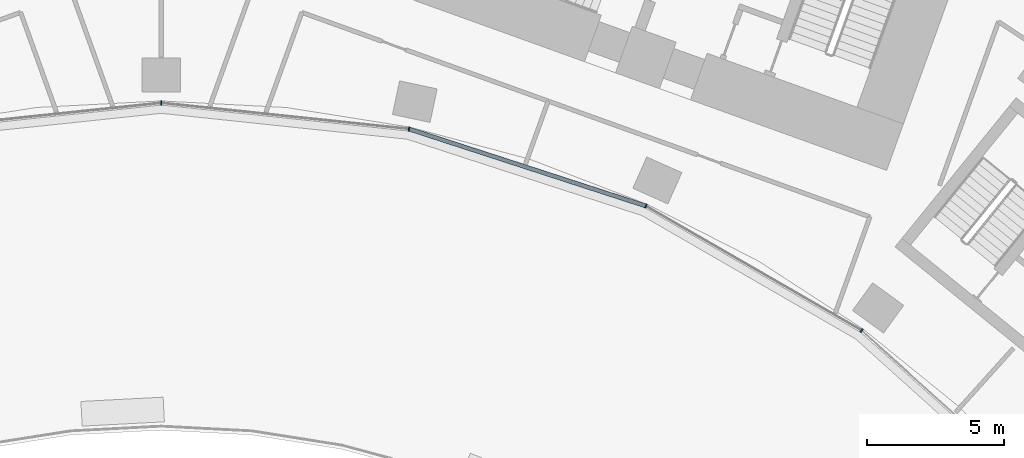
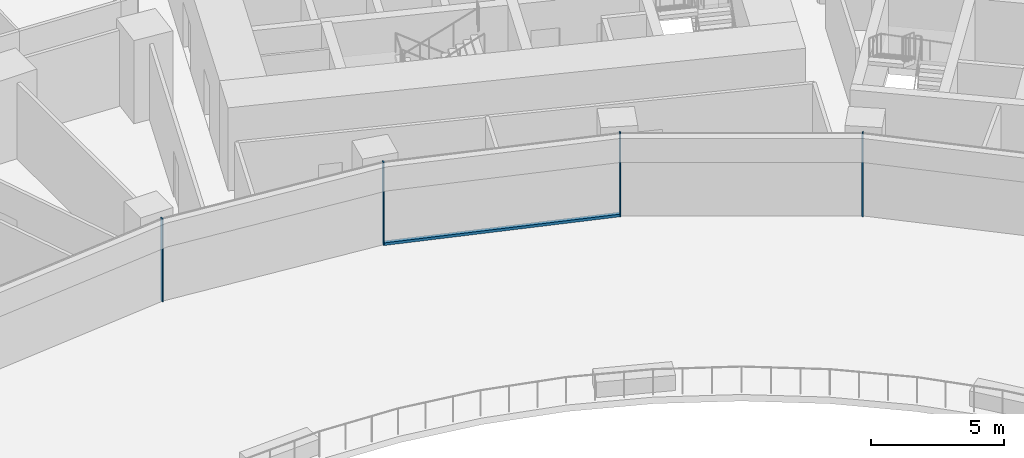
# One storey, part 7 of 24: 5 members, 1 element without a shape of its own.
"""IFC4 building model written with IfcOpenShell, lengths in metres."""

from ifc_helpers import new_model, si_unit, direction, frame, origin, origin_2d, place, context, subcontext, project, spatial, rectangle, extrude, material, layer, layer_set, material_profile, profile_set, type_object, element, aggregate, save


model = new_model("IFC4")

# Units and contexts
model_context = context("Model", 3, precision=1e-05, world=origin(), true_north=direction((0.0, 1.0)))
body_context = subcontext(model_context, "Body", "Model", "MODEL_VIEW")
ifc_project = project(units=[si_unit("LENGTHUNIT", "METRE"), si_unit("AREAUNIT", "SQUARE_METRE"), si_unit("VOLUMEUNIT", "CUBIC_METRE"), si_unit("PLANEANGLEUNIT", "RADIAN"), si_unit("MASSUNIT", "GRAM", prefix="KILO")], contexts=[model_context])

# Site, building, storey
site_placement = place(None, origin())
site = spatial("IfcSite", under=ifc_project, at=site_placement, CompositionType="ELEMENT")
building_placement = place(site_placement, origin())
building = spatial("IfcBuilding", under=site, at=building_placement, Name="Stone Belt Terrace Tower", CompositionType="ELEMENT")
storey_placement = place(building_placement, frame((0.0, 0.0, 30.0)))
storey = spatial("IfcBuildingStorey", under=building, at=storey_placement, Name="L06", CompositionType="ELEMENT", Elevation=30.0)

# Curtain wall, members
ifc_material = material(Name="Aluminium 6063-T6 anodised frame", Category="aluminium")
ifc_layer = layer(ifc_material, 0.14990234375)
ifc_layer_set = layer_set([ifc_layer], Name="CW-B unitised concave-face curtain wall")
curtain_wall_type = type_object("IfcCurtainWallType", Name="CW-B unitised concave-face curtain wall", PredefinedType="NOTDEFINED", material=ifc_layer_set)
curtain_wall_placement = place(storey_placement, origin())
curtain_wall = element("IfcCurtainWall", 1, at=curtain_wall_placement, inside=storey, type_object=curtain_wall_type, Name="CW-B concave face L06", PredefinedType="NOTDEFINED")
ifc_material_profile_1 = material_profile(ifc_material, rectangle(XDim=0.14990234375, YDim=0.050048828125, at=origin_2d()), Name="Aluminium 6063-T6 50x150")
ifc_profile_set_1 = profile_set([ifc_material_profile_1], Name="Aluminium 6063-T6 anodised frame")
member_type_1 = type_object("IfcMemberType", Name="CW-B mullion 50 x 150", PredefinedType="MULLION", material=ifc_profile_set_1)
member_1_placement = place(storey_placement, frame((0.0, 43.424560546875, 0.0), z_axis=(0.0, 0.0, 1.0), x_axis=(0.0, 1.0, 0.0)))
member_1 = element("IfcMember", 2, at=member_1_placement, type_object=member_type_1, Name="CW-B mullion 6", PredefinedType="MULLION", context=body_context, shape_type="SweptSolid", body=[
    extrude(rectangle(XDim=0.14990234375, YDim=0.050048828125, at=origin_2d()), origin(), (0.0, 0.0, 1.0), 3.800048828125),
])
member_2_placement = place(storey_placement, frame((9.028564453125, 42.4755859375, 0.0), z_axis=(0.0, 0.0, 1.0), x_axis=(0.207911690818, 0.978147600734, 0.0)))
member_2 = element("IfcMember", 3, at=member_2_placement, type_object=member_type_1, Name="CW-B mullion 7", PredefinedType="MULLION", context=body_context, shape_type="SweptSolid", body=[
    extrude(rectangle(XDim=0.14990234375, YDim=0.050048828125, at=origin_2d()), origin(), (0.0, 0.0, 1.0), 3.800048828125),
])
member_3_placement = place(storey_placement, frame((17.662353515625, 39.67041015625, 0.0), z_axis=(0.0, 0.0, 1.0), x_axis=(0.406736643076, 0.913545457643, 0.0)))
member_3 = element("IfcMember", 4, at=member_3_placement, type_object=member_type_1, Name="CW-B mullion 8", PredefinedType="MULLION", context=body_context, shape_type="SweptSolid", body=[
    extrude(rectangle(XDim=0.14990234375, YDim=0.050048828125, at=origin_2d()), origin(), (0.0, 0.0, 1.0), 3.800048828125),
])
member_4_placement = place(storey_placement, frame((25.5244140625, 35.13134765625, 0.0), z_axis=(0.0, 0.0, 1.0), x_axis=(0.587785252292, 0.809016994375, 0.0)))
member_4 = element("IfcMember", 5, at=member_4_placement, type_object=member_type_1, Name="CW-B mullion 9", PredefinedType="MULLION", context=body_context, shape_type="SweptSolid", body=[
    extrude(rectangle(XDim=0.14990234375, YDim=0.050048828125, at=origin_2d()), origin(), (0.0, 0.0, 1.0), 3.800048828125),
])
ifc_material_profile_2 = material_profile(ifc_material, rectangle(XDim=0.14990234375, YDim=0.1201171875, at=origin_2d()), Name="Aluminium 6063-T6 150x120")
ifc_profile_set_2 = profile_set([ifc_material_profile_2], Name="Aluminium 6063-T6 anodised frame")
member_type_2 = type_object("IfcMemberType", Name="CW-B transom 120 x 150", PredefinedType="USERDEFINED", material=ifc_profile_set_2)
member_5_placement = place(storey_placement, frame((9.0595703125, 42.465576171875, 0.06005859375), z_axis=(0.951055963285, -0.309018696359, 0.0), x_axis=(0.309018696359, 0.951055963285, 0.0)))
member_5 = element("IfcMember", 6, at=member_5_placement, type_object=member_type_2, Name="CW-B transom 7.1", ObjectType="TRANSOM", PredefinedType="USERDEFINED", context=body_context, shape_type="SweptSolid", body=[
    extrude(rectangle(XDim=0.14990234375, YDim=0.1201171875, at=origin_2d()), origin(), (0.0, 0.0, 1.0), 9.012939453125),
])
aggregate(curtain_wall, [member_1, member_2, member_3, member_4, member_5])

save(model, "model.ifc")
